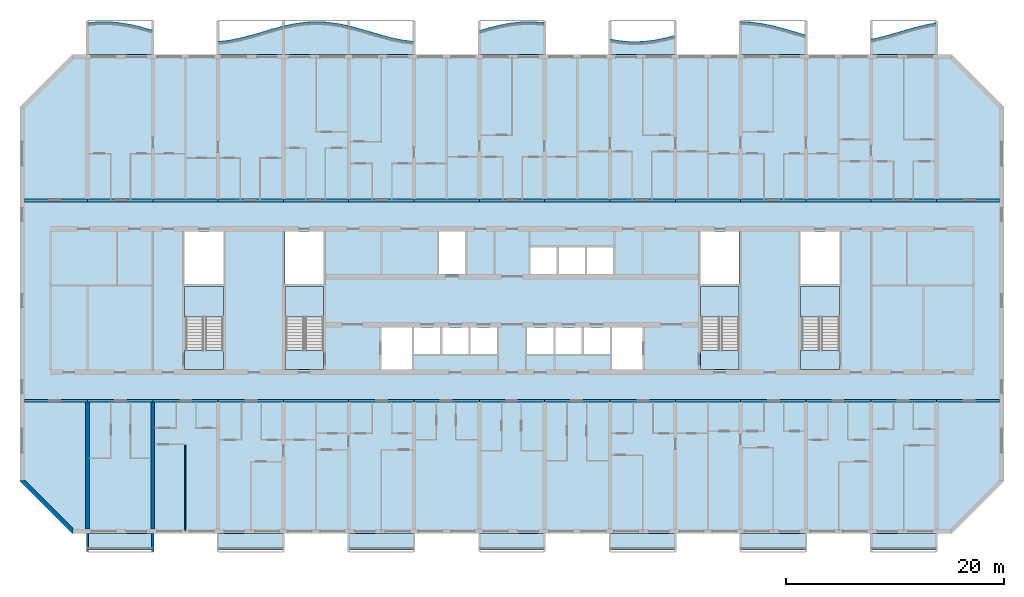
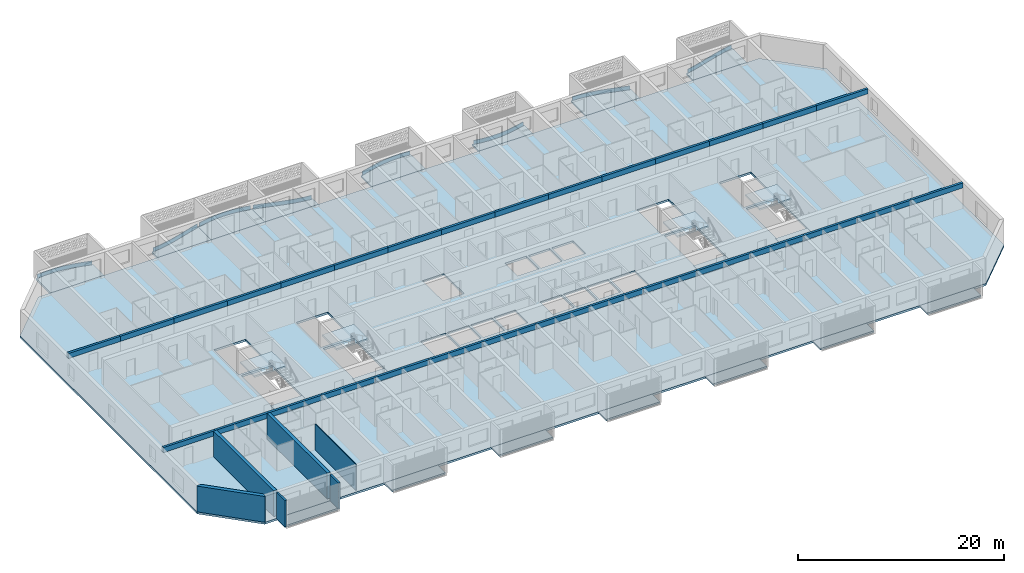
# One storey, part 1 of 29: 30 beams, 24 slabs, 8 plates, 6 walls, 4 elements without a shape of their own.
"""IFC4 building model written with IfcOpenShell, lengths in metres."""

from ifc_helpers import new_model, si_unit, direction, frame, frame_2d, origin, origin_2d, place, context, subcontext, project, spatial, polyline, rectangle, outline, extrude, source, transform, mapped, material, layer, layer_set, material_profile, profile_set, type_object, element, aggregate, save


model = new_model("IFC4")

# Units and contexts
model_context = context("Model", 3, precision=1e-05, world=origin(), true_north=direction((0.0, 1.0)))
body_context = subcontext(model_context, "Body", "Model", "MODEL_VIEW")
ifc_project = project(units=[si_unit("LENGTHUNIT", "METRE"), si_unit("AREAUNIT", "SQUARE_METRE"), si_unit("VOLUMEUNIT", "CUBIC_METRE"), si_unit("PLANEANGLEUNIT", "RADIAN"), si_unit("MASSUNIT", "GRAM", prefix="KILO")], contexts=[model_context])

# Site, building, storey
site_placement = place(None, origin())
site = spatial("IfcSite", under=ifc_project, at=site_placement, CompositionType="ELEMENT")
building_placement = place(site_placement, origin())
building = spatial("IfcBuilding", under=site, at=building_placement, Name="Poui Terraces", CompositionType="ELEMENT")
storey_placement = place(building_placement, frame((0.0, 0.0, 86.10009765625)))
storey = spatial("IfcBuildingStorey", under=building, at=storey_placement, Name="L23", CompositionType="ELEMENT", Elevation=86.10009765625)

# Beams
ifc_material_1 = material(Name="Concrete 65 MPa", Category="concrete")
ifc_material_profile = material_profile(ifc_material_1, rectangle(XDim=0.25, YDim=0.60009765625, at=origin_2d()), Name="RC 250x600")
ifc_profile_set = profile_set([ifc_material_profile], Name="Concrete 65 MPa")
beam_type = type_object("IfcBeamType", Name="COUPLING BEAM 250x600 65MPa", PredefinedType="BEAM", material=ifc_profile_set)
shared_shape_1 = source(origin(), body_context, "Body", "SweptSolid", [
    extrude(rectangle(XDim=0.25, YDim=0.60009765625, at=origin_2d()), origin(), (0.0, 0.0, 1.0), 5.800048828125),
])
for number, where, z_axis, x_axis, name in (
    (1, (6.199951171875, 12.0, 2.760009765625), (1.0, 0.0, 0.0), (0.0, 1.0, 0.0), "COUPLING BEAM LINE B BAY 1"),
    (2, (90.0, 12.0, 2.760009765625), (1.0, 0.0, 0.0), (0.0, 1.0, 0.0), "COUPLING BEAM LINE B BAY 15"),
    (3, (6.199951171875, 30.39990234375, 2.760009765625), (1.0, 0.0, 0.0), (0.0, 1.0, 0.0), "COUPLING BEAM LINE E BAY 1"),
    (4, (90.0, 30.39990234375, 2.760009765625), (1.0, 0.0, 0.0), (0.0, 1.0, 0.0), "COUPLING BEAM LINE E BAY 15"),
):
    element("IfcBeam", number, at=place(storey_placement, frame(where, z_axis=z_axis, x_axis=x_axis)), inside=storey, type_object=beam_type, Name=name, PredefinedType="BEAM", context=body_context, shape_type="MappedRepresentation", body=[
        mapped(shared_shape_1, transform((0.0, 0.0, 0.0))),
    ])
shared_shape_2 = source(origin(), body_context, "Body", "SweptSolid", [
    extrude(rectangle(XDim=0.25, YDim=0.60009765625, at=origin_2d()), origin(), (0.0, 0.0, 1.0), 6.0),
])
for number, where, z_axis, x_axis, name in (
    (5, (12.0, 12.0, 2.760009765625), (1.0, 0.0, 0.0), (0.0, 1.0, 0.0), "COUPLING BEAM LINE B BAY 2"),
    (6, (18.0, 12.0, 2.760009765625), (1.0, 0.0, 0.0), (0.0, 1.0, 0.0), "COUPLING BEAM LINE B BAY 3"),
    (7, (24.0, 12.0, 2.760009765625), (1.0, 0.0, 0.0), (0.0, 1.0, 0.0), "COUPLING BEAM LINE B BAY 4"),
    (8, (30.0, 12.0, 2.760009765625), (1.0, 0.0, 0.0), (0.0, 1.0, 0.0), "COUPLING BEAM LINE B BAY 5"),
    (9, (36.0, 12.0, 2.760009765625), (1.0, 0.0, 0.0), (0.0, 1.0, 0.0), "COUPLING BEAM LINE B BAY 6"),
    (10, (42.0, 12.0, 2.760009765625), (1.0, 0.0, 0.0), (0.0, 1.0, 0.0), "COUPLING BEAM LINE B BAY 7"),
    (11, (48.0, 12.0, 2.760009765625), (1.0, 0.0, 0.0), (0.0, 1.0, 0.0), "COUPLING BEAM LINE B BAY 8"),
    (12, (54.0, 12.0, 2.760009765625), (1.0, 0.0, 0.0), (0.0, 1.0, 0.0), "COUPLING BEAM LINE B BAY 9"),
    (13, (60.0, 12.0, 2.760009765625), (1.0, 0.0, 0.0), (0.0, 1.0, 0.0), "COUPLING BEAM LINE B BAY 10"),
    (14, (66.0, 12.0, 2.760009765625), (1.0, 0.0, 0.0), (0.0, 1.0, 0.0), "COUPLING BEAM LINE B BAY 11"),
    (15, (72.0, 12.0, 2.760009765625), (1.0, 0.0, 0.0), (0.0, 1.0, 0.0), "COUPLING BEAM LINE B BAY 12"),
    (16, (78.0, 12.0, 2.760009765625), (1.0, 0.0, 0.0), (0.0, 1.0, 0.0), "COUPLING BEAM LINE B BAY 13"),
    (17, (84.0, 12.0, 2.760009765625), (1.0, 0.0, 0.0), (0.0, 1.0, 0.0), "COUPLING BEAM LINE B BAY 14"),
    (18, (12.0, 30.39990234375, 2.760009765625), (1.0, 0.0, 0.0), (0.0, 1.0, 0.0), "COUPLING BEAM LINE E BAY 2"),
    (19, (18.0, 30.39990234375, 2.760009765625), (1.0, 0.0, 0.0), (0.0, 1.0, 0.0), "COUPLING BEAM LINE E BAY 3"),
    (20, (24.0, 30.39990234375, 2.760009765625), (1.0, 0.0, 0.0), (0.0, 1.0, 0.0), "COUPLING BEAM LINE E BAY 4"),
    (21, (30.0, 30.39990234375, 2.760009765625), (1.0, 0.0, 0.0), (0.0, 1.0, 0.0), "COUPLING BEAM LINE E BAY 5"),
    (22, (36.0, 30.39990234375, 2.760009765625), (1.0, 0.0, 0.0), (0.0, 1.0, 0.0), "COUPLING BEAM LINE E BAY 6"),
    (23, (42.0, 30.39990234375, 2.760009765625), (1.0, 0.0, 0.0), (0.0, 1.0, 0.0), "COUPLING BEAM LINE E BAY 7"),
    (24, (48.0, 30.39990234375, 2.760009765625), (1.0, 0.0, 0.0), (0.0, 1.0, 0.0), "COUPLING BEAM LINE E BAY 8"),
    (25, (54.0, 30.39990234375, 2.760009765625), (1.0, 0.0, 0.0), (0.0, 1.0, 0.0), "COUPLING BEAM LINE E BAY 9"),
    (26, (60.0, 30.39990234375, 2.760009765625), (1.0, 0.0, 0.0), (0.0, 1.0, 0.0), "COUPLING BEAM LINE E BAY 10"),
    (27, (66.0, 30.39990234375, 2.760009765625), (1.0, 0.0, 0.0), (0.0, 1.0, 0.0), "COUPLING BEAM LINE E BAY 11"),
    (28, (72.0, 30.39990234375, 2.760009765625), (1.0, 0.0, 0.0), (0.0, 1.0, 0.0), "COUPLING BEAM LINE E BAY 12"),
    (29, (78.0, 30.39990234375, 2.760009765625), (1.0, 0.0, 0.0), (0.0, 1.0, 0.0), "COUPLING BEAM LINE E BAY 13"),
    (30, (84.0, 30.39990234375, 2.760009765625), (1.0, 0.0, 0.0), (0.0, 1.0, 0.0), "COUPLING BEAM LINE E BAY 14"),
):
    element("IfcBeam", number, at=place(storey_placement, frame(where, z_axis=z_axis, x_axis=x_axis)), inside=storey, type_object=beam_type, Name=name, PredefinedType="BEAM", context=body_context, shape_type="MappedRepresentation", body=[
        mapped(shared_shape_2, transform((0.0, 0.0, 0.0))),
    ])

# Slabs
ifc_material_2 = material(Name="Precast concrete 40 MPa", Category="concrete")
ifc_layer_1 = layer(ifc_material_2, 0.199951171875)
ifc_layer_set_1 = layer_set([ifc_layer_1], Name="Precast concrete 40 MPa")
slab_type_1 = type_object("IfcSlabType", Name="BALCONY SLAB 200", PredefinedType="FLOOR", material=ifc_layer_set_1)
slab_1_placement = place(storey_placement, frame((0.0, 0.0, -0.2001953125)))
element("IfcSlab", 31, at=slab_1_placement, inside=storey, type_object=slab_type_1, Name="BALCONY SLAB", PredefinedType="FLOOR", context=body_context, shape_type="SweptSolid", body=[
    extrude(outline(polyline([(12.0, 43.800048828125), (18.0, 43.800048828125), (18.0, 45.94873046875), (17.0, 46.232666015625), (16.0, 46.474609375), (15.0, 46.649658203125), (14.0, 46.739990234375), (13.0, 46.73583984375), (12.0, 46.63818359375), (12.0, 43.800048828125)])), origin(), (0.0, 0.0, 1.0), 0.2001953125),
])
slab_2_placement = place(storey_placement, frame((0.0, 0.0, -0.2001953125)))
element("IfcSlab", 32, at=slab_2_placement, inside=storey, type_object=slab_type_1, Name="BALCONY SLAB", PredefinedType="FLOOR", context=body_context, shape_type="SweptSolid", body=[
    extrude(outline(polyline([(24.0, 43.800048828125), (30.0, 43.800048828125), (30.0, 46.340087890625), (29.0, 46.0703125), (28.0, 45.775390625), (27.0, 45.4853515625), (26.0, 45.23046875), (25.0, 45.03662109375), (24.0, 44.924072265625), (24.0, 43.800048828125)])), origin(), (0.0, 0.0, 1.0), 0.2001953125),
])
slab_3_placement = place(storey_placement, frame((0.0, 0.0, -0.2001953125)))
element("IfcSlab", 33, at=slab_3_placement, inside=storey, type_object=slab_type_1, Name="BALCONY SLAB", PredefinedType="FLOOR", context=body_context, shape_type="SweptSolid", body=[
    extrude(outline(polyline([(30.0, 43.800048828125), (36.0, 43.800048828125), (36.0, 46.360595703125), (35.0, 46.572021484375), (34.0, 46.706298828125), (33.0, 46.75), (32.0, 46.698486328125), (31.0, 46.556884765625), (30.0, 46.340087890625), (30.0, 43.800048828125)])), origin(), (0.0, 0.0, 1.0), 0.2001953125),
])
slab_4_placement = place(storey_placement, frame((0.0, 0.0, -0.2001953125)))
element("IfcSlab", 34, at=slab_4_placement, inside=storey, type_object=slab_type_1, Name="BALCONY SLAB", PredefinedType="FLOOR", context=body_context, shape_type="SweptSolid", body=[
    extrude(outline(polyline([(36.0, 43.800048828125), (42.0, 43.800048828125), (42.0, 44.929931640625), (41.0, 45.0498046875), (40.0, 45.249755859375), (39.0, 45.508544921875), (38.0, 45.80029296875), (37.0, 46.09423828125), (36.0, 46.360595703125), (36.0, 43.800048828125)])), origin(), (0.0, 0.0, 1.0), 0.2001953125),
])
slab_5_placement = place(storey_placement, frame((0.0, 0.0, -0.2001953125)))
element("IfcSlab", 35, at=slab_5_placement, inside=storey, type_object=slab_type_1, Name="BALCONY SLAB", PredefinedType="FLOOR", context=body_context, shape_type="SweptSolid", body=[
    extrude(outline(polyline([(48.0, 43.800048828125), (54.0, 43.800048828125), (54.0, 46.649658203125), (53.0, 46.739990234375), (52.0, 46.73583984375), (51.0, 46.63818359375), (50.0, 46.456787109375), (49.0, 46.210205078125), (48.0, 45.92431640625), (48.0, 43.800048828125)])), origin(), (0.0, 0.0, 1.0), 0.2001953125),
])
slab_6_placement = place(storey_placement, frame((0.0, 0.0, -0.2001953125)))
element("IfcSlab", 36, at=slab_6_placement, inside=storey, type_object=slab_type_1, Name="BALCONY SLAB", PredefinedType="FLOOR", context=body_context, shape_type="SweptSolid", body=[
    extrude(outline(polyline([(60.0, 43.800048828125), (66.0, 43.800048828125), (66.0, 45.4853515625), (65.0, 45.23046875), (64.0, 45.03662109375), (63.0, 44.924072265625), (62.0, 44.904052734375), (61.0, 44.97900390625), (60.0, 45.140869140625), (60.0, 43.800048828125)])), origin(), (0.0, 0.0, 1.0), 0.2001953125),
])
slab_7_placement = place(storey_placement, frame((0.0, 0.0, -0.2001953125)))
element("IfcSlab", 37, at=slab_7_placement, inside=storey, type_object=slab_type_1, Name="BALCONY SLAB", PredefinedType="FLOOR", context=body_context, shape_type="SweptSolid", body=[
    extrude(outline(polyline([(72.0, 43.800048828125), (78.0, 43.800048828125), (78.0, 45.508544921875), (77.0, 45.80029296875), (76.0, 46.09423828125), (75.0, 46.360595703125), (74.0, 46.572021484375), (73.0, 46.706298828125), (72.0, 46.75), (72.0, 43.800048828125)])), origin(), (0.0, 0.0, 1.0), 0.2001953125),
])
slab_8_placement = place(storey_placement, frame((0.0, 0.0, -0.2001953125)))
element("IfcSlab", 38, at=slab_8_placement, inside=storey, type_object=slab_type_1, Name="BALCONY SLAB", PredefinedType="FLOOR", context=body_context, shape_type="SweptSolid", body=[
    extrude(outline(polyline([(84.0, 43.800048828125), (90.0, 43.800048828125), (90.0, 46.63818359375), (89.0, 46.456787109375), (88.0, 46.210205078125), (87.0, 45.92431640625), (86.0, 45.627685546875), (85.0, 45.351806640625), (84.0, 45.12451171875), (84.0, 43.800048828125)])), origin(), (0.0, 0.0, 1.0), 0.2001953125),
])

# Stair, slabs
stair_type = type_object("IfcStairType", Name="EXIT STAIR 1650 65 MPA", PredefinedType="HALF_TURN_STAIR", material=ifc_material_1)
stair_1_placement = place(storey_placement, origin())
stair_1 = element("IfcStair", 39, at=stair_1_placement, inside=storey, type_object=stair_type, Name="L23 CORE STAIR EAST", PredefinedType="HALF_TURN_STAIR")
ifc_layer_2 = layer(ifc_material_1, 0.199951171875)
ifc_layer_set_2 = layer_set([ifc_layer_2], Name="Concrete 65 MPa")
slab_type_2 = type_object("IfcSlabType", Name="STAIR LANDING 200 65 MPA", PredefinedType="LANDING", material=ifc_layer_set_2)
slab_9_placement = place(storey_placement, frame((0.0, 0.0, 1.44970703125)))
slab_9 = element("IfcSlab", 40, at=slab_9_placement, type_object=slab_type_2, Name="ST-CE landing 1", PredefinedType="LANDING", context=body_context, shape_type="SweptSolid", body=[
    extrude(outline(polyline([(68.324951171875, 19.679931640625), (71.875, 19.679931640625), (71.875, 22.47509765625), (68.324951171875, 22.47509765625), (68.324951171875, 19.679931640625)])), origin(), (0.0, 0.0, 1.0), 0.2001953125),
])
slab_10_placement = place(storey_placement, frame((0.0, 0.0, -0.2001953125)))
slab_10 = element("IfcSlab", 41, at=slab_10_placement, type_object=slab_type_2, Name="ST-CE landing 2", PredefinedType="LANDING", context=body_context, shape_type="SweptSolid", body=[
    extrude(outline(polyline([(68.324951171875, 14.85009765625), (71.875, 14.85009765625), (71.875, 16.60009765625), (68.324951171875, 16.60009765625), (68.324951171875, 14.85009765625)])), origin(), (0.0, 0.0, 1.0), 0.2001953125),
])
aggregate(stair_1, [slab_9, slab_10])

stair_2_placement = place(storey_placement, origin())
stair_2 = element("IfcStair", 42, at=stair_2_placement, inside=storey, type_object=stair_type, Name="L23 CORE STAIR WEST", PredefinedType="HALF_TURN_STAIR")
slab_11_placement = place(storey_placement, frame((0.0, 0.0, 1.44970703125)))
slab_11 = element("IfcSlab", 43, at=slab_11_placement, type_object=slab_type_2, Name="ST-CW landing 1", PredefinedType="LANDING", context=body_context, shape_type="SweptSolid", body=[
    extrude(outline(polyline([(30.125, 19.679931640625), (33.675048828125, 19.679931640625), (33.675048828125, 22.47509765625), (30.125, 22.47509765625), (30.125, 19.679931640625)])), origin(), (0.0, 0.0, 1.0), 0.2001953125),
])
slab_12_placement = place(storey_placement, frame((0.0, 0.0, -0.2001953125)))
slab_12 = element("IfcSlab", 44, at=slab_12_placement, type_object=slab_type_2, Name="ST-CW landing 2", PredefinedType="LANDING", context=body_context, shape_type="SweptSolid", body=[
    extrude(outline(polyline([(30.125, 14.85009765625), (33.675048828125, 14.85009765625), (33.675048828125, 16.60009765625), (30.125, 16.60009765625), (30.125, 14.85009765625)])), origin(), (0.0, 0.0, 1.0), 0.2001953125),
])
aggregate(stair_2, [slab_11, slab_12])

stair_3_placement = place(storey_placement, origin())
stair_3 = element("IfcStair", 45, at=stair_3_placement, inside=storey, type_object=stair_type, Name="L23 TIP STAIR EAST", PredefinedType="HALF_TURN_STAIR")
slab_13_placement = place(storey_placement, frame((0.0, 0.0, 1.44970703125)))
slab_13 = element("IfcSlab", 46, at=slab_13_placement, type_object=slab_type_2, Name="ST-E landing 1", PredefinedType="LANDING", context=body_context, shape_type="SweptSolid", body=[
    extrude(outline(polyline([(77.52490234375, 19.679931640625), (81.074951171875, 19.679931640625), (81.074951171875, 22.47509765625), (77.52490234375, 22.47509765625), (77.52490234375, 19.679931640625)])), origin(), (0.0, 0.0, 1.0), 0.2001953125),
])
slab_14_placement = place(storey_placement, frame((0.0, 0.0, -0.2001953125)))
slab_14 = element("IfcSlab", 47, at=slab_14_placement, type_object=slab_type_2, Name="ST-E landing 2", PredefinedType="LANDING", context=body_context, shape_type="SweptSolid", body=[
    extrude(outline(polyline([(77.52490234375, 14.85009765625), (81.074951171875, 14.85009765625), (81.074951171875, 16.60009765625), (77.52490234375, 16.60009765625), (77.52490234375, 14.85009765625)])), origin(), (0.0, 0.0, 1.0), 0.2001953125),
])
aggregate(stair_3, [slab_13, slab_14])

stair_4_placement = place(storey_placement, origin())
stair_4 = element("IfcStair", 48, at=stair_4_placement, inside=storey, type_object=stair_type, Name="L23 TIP STAIR WEST", PredefinedType="HALF_TURN_STAIR")
slab_15_placement = place(storey_placement, frame((0.0, 0.0, 1.44970703125)))
slab_15 = element("IfcSlab", 49, at=slab_15_placement, type_object=slab_type_2, Name="ST-W landing 1", PredefinedType="LANDING", context=body_context, shape_type="SweptSolid", body=[
    extrude(outline(polyline([(20.925048828125, 19.679931640625), (24.47509765625, 19.679931640625), (24.47509765625, 22.47509765625), (20.925048828125, 22.47509765625), (20.925048828125, 19.679931640625)])), origin(), (0.0, 0.0, 1.0), 0.2001953125),
])
slab_16_placement = place(storey_placement, frame((0.0, 0.0, -0.2001953125)))
slab_16 = element("IfcSlab", 50, at=slab_16_placement, type_object=slab_type_2, Name="ST-W landing 2", PredefinedType="LANDING", context=body_context, shape_type="SweptSolid", body=[
    extrude(outline(polyline([(20.925048828125, 14.85009765625), (24.47509765625, 14.85009765625), (24.47509765625, 16.60009765625), (20.925048828125, 16.60009765625), (20.925048828125, 14.85009765625)])), origin(), (0.0, 0.0, 1.0), 0.2001953125),
])
aggregate(stair_4, [slab_15, slab_16])

# Plates
ifc_layer_3 = layer(ifc_material_2, 0.080078125)
ifc_layer_set_3 = layer_set([ifc_layer_3], Name="Precast concrete 40 MPa")
plate_type = type_object("IfcPlateType", Name="SUNSHADE UPSTAND 80", PredefinedType="SHEET", material=ifc_layer_set_3)
plate_1_placement = place(storey_placement, origin())
element("IfcPlate", 51, at=plate_1_placement, inside=storey, type_object=plate_type, Name="SUNSHADE UPSTAND", PredefinedType="SHEET", context=body_context, shape_type="SweptSolid", body=[
    extrude(outline(polyline([(12.998046875, 46.73095703125), (12.132568359375, 46.651123046875), (12.121337890625, 46.650146484375), (12.128662109375, 46.570556640625), (13.001953125, 46.65087890625), (13.998291015625, 46.65478515625), (14.99462890625, 46.565185546875), (15.99169921875, 46.390380859375), (16.989990234375, 46.14892578125), (17.864013671875, 45.902099609375), (17.885986328125, 45.97900390625), (17.010009765625, 46.226318359375), (16.00830078125, 46.46875), (15.00537109375, 46.644287109375), (14.001708984375, 46.73486328125), (12.998046875, 46.73095703125)])), origin(), (0.0, 0.0, 1.0), 0.449951171875),
])
plate_2_placement = place(storey_placement, origin())
element("IfcPlate", 52, at=plate_2_placement, inside=storey, type_object=plate_type, Name="SUNSHADE UPSTAND", PredefinedType="SHEET", context=body_context, shape_type="SweptSolid", body=[
    extrude(outline(polyline([(24.993896484375, 45.03125), (24.120361328125, 44.927978515625), (24.129638671875, 44.848388671875), (25.006103515625, 44.9521484375), (26.0087890625, 45.146484375), (27.010498046875, 45.40185546875), (28.01123046875, 45.69189453125), (29.010986328125, 45.98681640625), (29.885498046875, 46.22509765625), (29.864501953125, 46.302490234375), (28.989013671875, 46.06396484375), (27.98876953125, 45.768798828125), (26.989501953125, 45.47900390625), (25.9912109375, 45.224609375), (24.993896484375, 45.03125)])), origin(), (0.0, 0.0, 1.0), 0.449951171875),
])
plate_3_placement = place(storey_placement, origin())
element("IfcPlate", 53, at=plate_3_placement, inside=storey, type_object=plate_type, Name="SUNSHADE UPSTAND", PredefinedType="SHEET", context=body_context, shape_type="SweptSolid", body=[
    extrude(outline(polyline([(30.992919921875, 46.551513671875), (30.11669921875, 46.36474609375), (30.13330078125, 46.28662109375), (31.007080078125, 46.472412109375), (32.00390625, 46.613525390625), (33.000244140625, 46.664794921875), (33.99658203125, 46.621337890625), (34.993408203125, 46.4873046875), (35.866943359375, 46.306396484375), (35.883056640625, 46.384765625), (35.006591796875, 46.56640625), (34.00341796875, 46.701171875), (32.999755859375, 46.7451171875), (31.99609375, 46.693115234375), (30.992919921875, 46.551513671875)])), origin(), (0.0, 0.0, 1.0), 0.449951171875),
])
plate_4_placement = place(storey_placement, origin())
element("IfcPlate", 54, at=plate_4_placement, inside=storey, type_object=plate_type, Name="SUNSHADE UPSTAND", PredefinedType="SHEET", context=body_context, shape_type="SweptSolid", body=[
    extrude(outline(polyline([(37.0107421875, 46.087890625), (36.135498046875, 46.323486328125), (36.114501953125, 46.24609375), (36.9892578125, 46.0107421875), (37.98876953125, 45.716796875), (38.989501953125, 45.425048828125), (39.9912109375, 45.165771484375), (40.99365234375, 44.96533203125), (41.8701171875, 44.85546875), (41.8798828125, 44.934814453125), (41.00634765625, 45.04443359375), (40.0087890625, 45.24365234375), (39.010498046875, 45.502197265625), (38.01123046875, 45.793701171875), (37.0107421875, 46.087890625)])), origin(), (0.0, 0.0, 1.0), 0.449951171875),
])
plate_5_placement = place(storey_placement, origin())
element("IfcPlate", 55, at=plate_5_placement, inside=storey, type_object=plate_type, Name="SUNSHADE UPSTAND", PredefinedType="SHEET", context=body_context, shape_type="SweptSolid", body=[
    extrude(outline(polyline([(48.98974609375, 46.2041015625), (48.114013671875, 45.95458984375), (48.135986328125, 45.877685546875), (49.01025390625, 46.126708984375), (50.00830078125, 46.37255859375), (51.005615234375, 46.5537109375), (52.001953125, 46.65087890625), (52.998291015625, 46.65478515625), (53.87158203125, 46.5810546875), (53.87841796875, 46.66064453125), (53.86328125, 46.662109375), (53.001708984375, 46.73486328125), (51.998046875, 46.73095703125), (50.994384765625, 46.6328125), (49.99169921875, 46.450927734375), (48.98974609375, 46.2041015625)])), origin(), (0.0, 0.0, 1.0), 0.449951171875),
])
plate_6_placement = place(storey_placement, origin())
element("IfcPlate", 56, at=plate_6_placement, inside=storey, type_object=plate_type, Name="SUNSHADE UPSTAND", PredefinedType="SHEET", context=body_context, shape_type="SweptSolid", body=[
    extrude(outline(polyline([(61.004638671875, 44.9736328125), (60.131103515625, 45.11083984375), (60.118896484375, 45.031982421875), (60.995361328125, 44.894287109375), (61.998779296875, 44.819091796875), (63.002685546875, 44.839111328125), (64.006103515625, 44.9521484375), (65.0087890625, 45.146484375), (65.884765625, 45.3671875), (65.865234375, 45.44482421875), (64.9912109375, 45.224609375), (63.993896484375, 45.03125), (62.997314453125, 44.9189453125), (62.001220703125, 44.899169921875), (61.004638671875, 44.9736328125)])), origin(), (0.0, 0.0, 1.0), 0.449951171875),
])
plate_7_placement = place(storey_placement, origin())
element("IfcPlate", 57, at=plate_7_placement, inside=storey, type_object=plate_type, Name="SUNSHADE UPSTAND", PredefinedType="SHEET", context=body_context, shape_type="SweptSolid", body=[
    extrude(outline(polyline([(73.003662109375, 46.701171875), (72.168212890625, 46.74267578125), (72.126953125, 46.744384765625), (72.123046875, 46.664794921875), (72.996337890625, 46.621337890625), (73.9931640625, 46.4873046875), (74.99072265625, 46.276611328125), (75.9892578125, 46.0107421875), (76.98876953125, 45.716796875), (77.86376953125, 45.46044921875), (77.88623046875, 45.537353515625), (77.01123046875, 45.79345703125), (76.0107421875, 46.087890625), (75.00927734375, 46.3544921875), (74.0068359375, 46.56640625), (73.003662109375, 46.701171875)])), origin(), (0.0, 0.0, 1.0), 0.449951171875),
])
plate_8_placement = place(storey_placement, origin())
element("IfcPlate", 58, at=plate_8_placement, inside=storey, type_object=plate_type, Name="SUNSHADE UPSTAND", PredefinedType="SHEET", context=body_context, shape_type="SweptSolid", body=[
    extrude(outline(polyline([(84.990234375, 45.345703125), (84.115966796875, 45.143310546875), (84.134033203125, 45.0654296875), (85.009765625, 45.26806640625), (86.010986328125, 45.54443359375), (87.01123046875, 45.8408203125), (88.01025390625, 46.126708984375), (89.008544921875, 46.37255859375), (89.88232421875, 46.535400390625), (89.86767578125, 46.614013671875), (88.991455078125, 46.450927734375), (87.98974609375, 46.203857421875), (86.98876953125, 45.91748046875), (85.989013671875, 45.621337890625), (84.990234375, 45.345703125)])), origin(), (0.0, 0.0, 1.0), 0.449951171875),
])

# Slabs
ifc_material_3 = material(Name="Concrete 40 MPa", Category="concrete")
ifc_layer_4 = layer(ifc_material_3, 0.239990234375)
ifc_layer_set_4 = layer_set([ifc_layer_4], Name="Concrete 40 MPa")
slab_type_3 = type_object("IfcSlabType", Name="FLOOR SLAB 240", PredefinedType="FLOOR", material=ifc_layer_set_4)
shared_shape_3 = source(origin(), body_context, "Body", "SweptSolid", [
    extrude(outline(polyline([(0.0, 0.0), (4.800048828125, -4.800048828125), (85.599853515625, -4.800048828125), (90.39990234375, 0.0), (90.39990234375, 34.39990234375), (85.599853515625, 39.199951171875), (4.800048828125, 39.199951171875), (0.0, 34.39990234375), (0.0, 0.0)]), holes=[polyline([(33.199951171875, 10.25), (33.199951171875, 14.14990234375), (36.0, 14.14990234375), (36.0, 10.25), (33.199951171875, 10.25)]), polyline([(36.199951171875, 11.699951171875), (36.199951171875, 14.14990234375), (38.599853515625, 14.14990234375), (38.599853515625, 11.699951171875), (36.199951171875, 11.699951171875)]), polyline([(38.800048828125, 11.699951171875), (38.800048828125, 14.14990234375), (41.199951171875, 14.14990234375), (41.199951171875, 11.699951171875), (38.800048828125, 11.699951171875)]), polyline([(41.39990234375, 14.14990234375), (43.800048828125, 14.14990234375), (43.800048828125, 11.699951171875), (41.39990234375, 11.699951171875), (41.39990234375, 14.14990234375)]), polyline([(46.599853515625, 14.14990234375), (49.0, 14.14990234375), (49.0, 11.699951171875), (46.599853515625, 11.699951171875), (46.599853515625, 14.14990234375)]), polyline([(15.224853515625, 17.849853515625), (18.675048828125, 17.849853515625), (18.675048828125, 12.0), (18.675048828125, 10.25), (15.125, 10.25), (15.125, 12.0), (15.224853515625, 12.0), (15.224853515625, 17.849853515625)]), polyline([(24.425048828125, 17.849853515625), (27.875, 17.849853515625), (27.875, 12.0), (27.875, 10.25), (24.324951171875, 10.25), (24.324951171875, 12.0), (24.425048828125, 12.0), (24.425048828125, 17.849853515625)]), polyline([(15.125, 18.125), (15.125, 22.949951171875), (18.675048828125, 22.949951171875), (18.675048828125, 18.125), (15.125, 18.125)]), polyline([(24.324951171875, 22.949951171875), (27.875, 22.949951171875), (27.875, 18.125), (24.324951171875, 18.125), (24.324951171875, 22.949951171875)]), polyline([(38.5, 22.949951171875), (40.89990234375, 22.949951171875), (40.89990234375, 19.0498046875), (38.5, 19.0498046875), (38.5, 22.949951171875)]), polyline([(54.39990234375, 10.25), (54.39990234375, 14.14990234375), (57.199951171875, 14.14990234375), (57.199951171875, 10.25), (54.39990234375, 10.25)]), polyline([(49.199951171875, 11.699951171875), (49.199951171875, 14.14990234375), (51.599853515625, 14.14990234375), (51.599853515625, 11.699951171875), (49.199951171875, 11.699951171875)]), polyline([(51.800048828125, 11.699951171875), (51.800048828125, 14.14990234375), (54.199951171875, 14.14990234375), (54.199951171875, 11.699951171875), (51.800048828125, 11.699951171875)]), polyline([(66.074951171875, 17.849853515625), (66.074951171875, 12.0), (66.074951171875, 10.25), (62.52490234375, 10.25), (62.52490234375, 12.0), (62.625, 12.0), (62.625, 17.849853515625), (66.074951171875, 17.849853515625)]), polyline([(75.27490234375, 17.849853515625), (75.27490234375, 12.0), (75.27490234375, 10.25), (71.724853515625, 10.25), (71.724853515625, 12.0), (71.824951171875, 12.0), (71.824951171875, 17.849853515625), (75.27490234375, 17.849853515625)]), polyline([(46.89990234375, 19.0498046875), (46.89990234375, 21.5), (49.300048828125, 21.5), (49.300048828125, 19.0498046875), (46.89990234375, 19.0498046875)]), polyline([(49.5, 19.0498046875), (49.5, 21.5), (51.89990234375, 21.5), (51.89990234375, 19.0498046875), (49.5, 19.0498046875)]), polyline([(52.099853515625, 19.0498046875), (52.099853515625, 21.5), (54.5, 21.5), (54.5, 19.0498046875), (52.099853515625, 19.0498046875)]), polyline([(62.52490234375, 22.949951171875), (66.074951171875, 22.949951171875), (66.074951171875, 18.125), (62.52490234375, 18.125), (62.52490234375, 22.949951171875)]), polyline([(71.724853515625, 22.949951171875), (75.27490234375, 22.949951171875), (75.27490234375, 18.125), (71.724853515625, 18.125), (71.724853515625, 22.949951171875)])]), origin(), (0.0, 0.0, 1.0), 0.240234375),
])
slab_17_placement = place(storey_placement, frame((5.800048828125, 4.60009765625, -0.240234375)))
element("IfcSlab", 59, at=slab_17_placement, inside=storey, type_object=slab_type_3, Name="FLOOR SLAB", PredefinedType="FLOOR", context=body_context, shape_type="MappedRepresentation", body=[
    mapped(shared_shape_3, transform((0.0, 0.0, 0.0))),
])
ifc_layer_5 = layer(ifc_material_2, 0.199951171875)
ifc_layer_set_5 = layer_set([ifc_layer_5], Name="Precast concrete 40 MPa")
slab_type_4 = type_object("IfcSlabType", Name="REAR BALCONY SLAB 200", PredefinedType="FLOOR", material=ifc_layer_set_5)
shared_shape_4 = source(origin(), body_context, "Body", "SweptSolid", [
    extrude(outline(polyline([(0.0, 0.0), (6.0, 0.0), (6.0, 1.5), (0.0, 1.5), (0.0, 0.0)])), origin(), (0.0, 0.0, 1.0), 0.2001953125),
])
for number, where, name in (
    (60, (12.0, -1.699951171875, -0.2001953125), "REAR BALCONY SLAB"),
    (61, (24.0, -1.699951171875, -0.2001953125), "REAR BALCONY SLAB"),
    (62, (36.0, -1.699951171875, -0.2001953125), "REAR BALCONY SLAB"),
    (63, (48.0, -1.699951171875, -0.2001953125), "REAR BALCONY SLAB"),
    (64, (60.0, -1.699951171875, -0.2001953125), "REAR BALCONY SLAB"),
    (65, (72.0, -1.699951171875, -0.2001953125), "REAR BALCONY SLAB"),
    (66, (84.0, -1.699951171875, -0.2001953125), "REAR BALCONY SLAB"),
):
    element("IfcSlab", number, at=place(storey_placement, frame(where)), inside=storey, type_object=slab_type_4, Name=name, PredefinedType="FLOOR", context=body_context, shape_type="MappedRepresentation", body=[
        mapped(shared_shape_4, transform((0.0, 0.0, 0.0))),
    ])

# Walls
ifc_layer_6 = layer(ifc_material_1, 0.35009765625)
ifc_layer_set_6 = layer_set([ifc_layer_6], Name="Concrete 65 MPa")
wall_type_1 = type_object("IfcWallType", Name="CROSS WALL 350 65MPa", PredefinedType="SHEAR", material=ifc_layer_set_6)
for number, where, z_axis, x_axis, name in (
    (67, (12.0, 0.199951171875, 0.0), (0.0, 0.0, 1.0), (0.0, 1.0, 0.0), "CROSS WALL LINE 3 SOUTH"),
    (68, (18.0, 0.199951171875, 0.0), (0.0, 0.0, 1.0), (0.0, 1.0, 0.0), "CROSS WALL LINE 4 SOUTH"),
):
    element("IfcWall", number, at=place(storey_placement, frame(where, z_axis=z_axis, x_axis=x_axis)), inside=storey, type_object=wall_type_1, Name=name, PredefinedType="SHEAR", context=body_context, shape_type="SweptSolid", body=[
        extrude(rectangle(XDim=11.675048828125, YDim=0.35009765625, at=frame_2d((5.83740234375, 0.0))), origin(), (0.0, 0.0, 1.0), 3.059814453125),
    ])
ifc_material_4 = material(Name="Plasterboard partition")
ifc_layer_7 = layer(ifc_material_4, 0.10009765625)
ifc_layer_set_7 = layer_set([ifc_layer_7], Name="Plasterboard partition")
wall_type_2 = type_object("IfcWallType", Name="FLAT PARTITION 100", PredefinedType="PARTITIONING", material=ifc_layer_set_7)
wall_1_placement = place(storey_placement, frame((21.0, 0.06005859375, 0.0), z_axis=(0.0, 0.0, 1.0), x_axis=(0.0, 1.0, 0.0)))
element("IfcWall", 69, at=wall_1_placement, inside=storey, type_object=wall_type_2, Name="FLAT PARTITION 100", PredefinedType="PARTITIONING", context=body_context, shape_type="SweptSolid", body=[
    extrude(rectangle(XDim=7.889892578125, YDim=0.10009765625, at=frame_2d((3.94482421875, 0.0))), origin(), (0.0, 0.0, 1.0), 3.059814453125),
])
ifc_layer_8 = layer(ifc_material_2, 0.39990234375)
ifc_layer_set_8 = layer_set([ifc_layer_8], Name="Precast concrete 40 MPa")
wall_type_3 = type_object("IfcWallType", Name="TERRACOTTA CLAD CHAMFER WALL 400", PredefinedType="STANDARD", material=ifc_layer_set_8)
wall_2_placement = place(storey_placement, origin())
element("IfcWall", 70, at=wall_2_placement, inside=storey, type_object=wall_type_3, Name="CHAMFER WALL CH07", PredefinedType="STANDARD", context=body_context, shape_type="SweptSolid", body=[
    extrude(outline(polyline([(5.800048828125, 4.682861328125), (5.800048828125, 4.60009765625), (10.60009765625, -0.199951171875), (10.682861328125, -0.199951171875), (10.682861328125, 0.28271484375), (6.28271484375, 4.682861328125), (5.800048828125, 4.682861328125)])), origin(), (0.0, 0.0, 1.0), 3.059814453125),
])
ifc_layer_9 = layer(ifc_material_2, 0.199951171875)
ifc_layer_set_9 = layer_set([ifc_layer_9], Name="Precast concrete 40 MPa")
wall_type_4 = type_object("IfcWallType", Name="REAR FIN 200", PredefinedType="STANDARD", material=ifc_layer_set_9)
shared_shape_5 = source(origin(), body_context, "Body", "SweptSolid", [
    extrude(outline(polyline([(0.0, 0.0), (0.2001953125, 0.0), (0.2001953125, 1.650146484375), (0.0, 1.650146484375), (0.0, 0.0)])), origin(), (0.0, 0.0, 1.0), 3.099853515625),
])
for number, where, name in (
    (71, (11.89990234375, -1.85009765625, 0.0), "REAR FIN"),
    (72, (17.89990234375, -1.85009765625, 0.0), "REAR FIN"),
):
    element("IfcWall", number, at=place(storey_placement, frame(where)), inside=storey, type_object=wall_type_4, Name=name, PredefinedType="STANDARD", context=body_context, shape_type="MappedRepresentation", body=[
        mapped(shared_shape_5, transform((0.0, 0.0, 0.0))),
    ])

save(model, "model.ifc")
